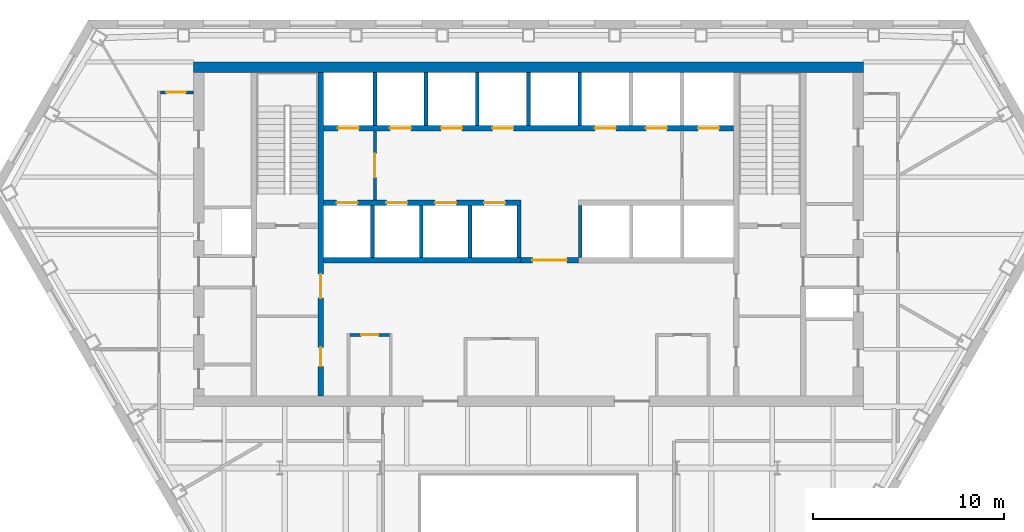
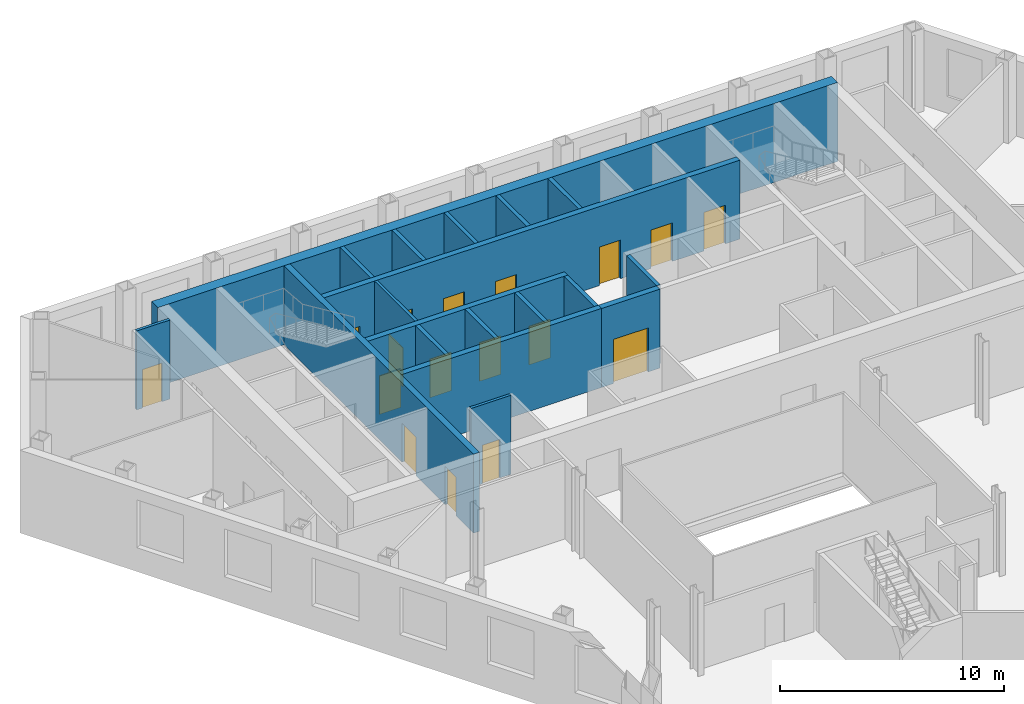
# One storey, part 6 of 11: 19 walls, 17 doors, 17 openings.
"""IFC4 building model written with IfcOpenShell, lengths in metres."""

from ifc_helpers import new_model, si_unit, direction, frame, frame_2d, origin, place, context, subcontext, project, spatial, rectangle, extrude, material, layer, layer_set, type_object, element, fill, save


model = new_model("IFC4")

# Units and contexts
model_context = context("Model", 3, precision=1e-05, world=origin(), true_north=direction((0.0, 1.0)))
body_context = subcontext(model_context, "Body", "Model", "MODEL_VIEW")
ifc_project = project(units=[si_unit("LENGTHUNIT", "METRE"), si_unit("AREAUNIT", "SQUARE_METRE"), si_unit("VOLUMEUNIT", "CUBIC_METRE"), si_unit("PLANEANGLEUNIT", "RADIAN"), si_unit("MASSUNIT", "GRAM", prefix="KILO")], contexts=[model_context])

# Site, building, storey
site_placement = place(None, origin())
site = spatial("IfcSite", under=ifc_project, at=site_placement, CompositionType="ELEMENT")
building_placement = place(site_placement, origin())
building = spatial("IfcBuilding", under=site, at=building_placement, Name="Njiva Tower", CompositionType="ELEMENT")
storey_placement = place(building_placement, frame((0.0, 0.0, 88.8)))
storey = spatial("IfcBuildingStorey", under=building, at=storey_placement, Name="L18", CompositionType="ELEMENT", Elevation=88.8)

# Wall, opening, door
ifc_material_1 = material(Name="Blockwork", Category="masonry")
ifc_layer_1 = layer(ifc_material_1, 0.15)
ifc_layer_set_1 = layer_set([ifc_layer_1], Name="Blockwork")
wall_type_1 = type_object("IfcWallType", Name="WT1 Compartment partition 150", PredefinedType="PARTITIONING", material=ifc_layer_set_1)
wall_1_placement = place(storey_placement, frame((-9.325, 3.75, 0.0), z_axis=(0.0, 0.0, 1.0), x_axis=(1.0, 0.0, 0.0)))
wall_1 = element("IfcWall", 1, at=wall_1_placement, inside=storey, type_object=wall_type_1, Name="Concierge office wall north", PredefinedType="PARTITIONING", context=body_context, shape_type="SweptSolid", body=[
    extrude(rectangle(XDim=2.05, YDim=0.15, at=frame_2d((1.025, 0.0))), origin(), (0.0, 0.0, 1.0), 4.3),
])
opening_1_placement = place(wall_1_placement, frame((0.575, 0.0, 0.0)))
opening_1 = element("IfcOpeningElement", 2, at=opening_1_placement, cuts=wall_1, Name="Opening S06-D932", PredefinedType="OPENING", context=body_context, shape_type="SweptSolid", body=[
    extrude(rectangle(XDim=0.9, YDim=2.1, at=frame_2d((0.45, 1.05))), frame((0.0, 0.085, 0.0), z_axis=(0.0, -1.0, 0.0), x_axis=(1.0, 0.0, 0.0)), (0.0, 0.0, 1.0), 0.17),
])
ifc_material_2 = material(Name="Steel fire door, painted", Category="steel")
door_type_1 = type_object("IfcDoorType", Name="D6 Fire-rated door 900x2100", OperationType="SINGLE_SWING_LEFT", PredefinedType="DOOR", material=ifc_material_2)
door_1_placement = place(opening_1_placement, origin())
door_1 = element("IfcDoor", 3, at=door_1_placement, inside=storey, type_object=door_type_1, Name="Concierge office door", OperationType="SINGLE_SWING_RIGHT", OverallHeight=2.1, OverallWidth=0.9, PredefinedType="DOOR", context=body_context, shape_type="SweptSolid", body=[
    extrude(rectangle(XDim=0.9, YDim=2.1, at=frame_2d((0.45, 1.05))), frame((0.0, 0.025, 0.0), z_axis=(0.0, -1.0, 0.0), x_axis=(1.0, 0.0, 0.0)), (0.0, 0.0, 1.0), 0.05),
])
fill(opening_1, door_1)

# Wall, openings, doors
ifc_material_3 = material(Name="Concrete C40/50", Category="concrete")
ifc_layer_2 = layer(ifc_material_3, 0.3)
ifc_layer_set_2 = layer_set([ifc_layer_2], Name="Concrete C40/50")
wall_type_2 = type_object("IfcWallType", Name="WT10 Stair enclosure wall 300", PredefinedType="SHEAR", material=ifc_layer_set_2)
wall_2_placement = place(storey_placement, frame((-10.85, 0.55, 0.0), z_axis=(0.0, 0.0, 1.0), x_axis=(0.0, 1.0, 0.0)))
wall_2 = element("IfcWall", 4, at=wall_2_placement, inside=storey, type_object=wall_type_2, Name="Stair wall west inner", PredefinedType="SHEAR", context=body_context, shape_type="SweptSolid", body=[
    extrude(rectangle(XDim=16.9, YDim=0.3, at=frame_2d((8.45, 0.0))), origin(), (0.0, 0.0, 1.0), 4.3),
])
opening_2_placement = place(wall_2_placement, frame((5.125, 0.0, 0.0)))
opening_2 = element("IfcOpeningElement", 5, at=opening_2_placement, cuts=wall_2, Name="Opening S06-D914", PredefinedType="OPENING", context=body_context, shape_type="SweptSolid", body=[
    extrude(rectangle(XDim=1.25, YDim=2.1, at=frame_2d((0.625, 1.05))), frame((0.0, 0.16, 0.0), z_axis=(0.0, -1.0, 0.0), x_axis=(1.0, 0.0, 0.0)), (0.0, 0.0, 1.0), 0.32),
])
opening_3_placement = place(wall_2_placement, frame((1.55, 0.0, 0.0)))
opening_3 = element("IfcOpeningElement", 6, at=opening_3_placement, cuts=wall_2, Name="Opening S06-D915", PredefinedType="OPENING", context=body_context, shape_type="SweptSolid", body=[
    extrude(rectangle(XDim=1.0, YDim=2.1, at=frame_2d((0.5, 1.05))), frame((0.0, 0.16, 0.0), z_axis=(0.0, -1.0, 0.0), x_axis=(1.0, 0.0, 0.0)), (0.0, 0.0, 1.0), 0.32),
])
ifc_material_4 = material(Name="Steel door, painted", Category="steel")
door_type_2 = type_object("IfcDoorType", Name="D5 Steel door 1000x2100", OperationType="SINGLE_SWING_LEFT", PredefinedType="DOOR", material=ifc_material_4)
door_2_placement = place(opening_3_placement, origin())
door_2 = element("IfcDoor", 7, at=door_2_placement, inside=storey, type_object=door_type_2, Name="Reading room door", OperationType="SINGLE_SWING_RIGHT", OverallHeight=2.1, OverallWidth=1.0, PredefinedType="DOOR", context=body_context, shape_type="SweptSolid", body=[
    extrude(rectangle(XDim=1.0, YDim=2.1, at=frame_2d((0.5, 1.05))), frame((0.0, 0.025, 0.0), z_axis=(0.0, -1.0, 0.0), x_axis=(1.0, 0.0, 0.0)), (0.0, 0.0, 1.0), 0.05),
])
fill(opening_3, door_2)
ifc_material_5 = material(Name="Glazed steel fire door", Category="steel")
door_type_3 = type_object("IfcDoorType", Name="D8 Vestibule corridor door 1250x2100 glazed", OperationType="SINGLE_SWING_LEFT", PredefinedType="DOOR", material=ifc_material_5)
door_3_placement = place(opening_2_placement, origin())
door_3 = element("IfcDoor", 8, at=door_3_placement, inside=storey, type_object=door_type_3, Name="Stair vestibule corridor door", OperationType="SINGLE_SWING_LEFT", OverallHeight=2.1, OverallWidth=1.25, PredefinedType="DOOR", context=body_context, shape_type="SweptSolid", body=[
    extrude(rectangle(XDim=1.25, YDim=2.1, at=frame_2d((0.625, 1.05))), frame((0.0, 0.025, 0.0), z_axis=(0.0, -1.0, 0.0), x_axis=(1.0, 0.0, 0.0)), (0.0, 0.0, 1.0), 0.05),
])
fill(opening_2, door_3)

# Wall
ifc_material_6 = material(Name="Concrete C60/75", Category="concrete")
ifc_layer_3 = layer(ifc_material_6, 0.55)
ifc_layer_set_3 = layer_set([ifc_layer_3], Name="Concrete C60/75")
wall_type_3 = type_object("IfcWallType", Name="WT14 Core wall 550", PredefinedType="SHEAR", material=ifc_layer_set_3)
wall_3_placement = place(storey_placement, frame((-17.5, 17.725, 0.0), z_axis=(0.0, 0.0, 1.0), x_axis=(1.0, 0.0, 0.0)))
element("IfcWall", 9, at=wall_3_placement, inside=storey, type_object=wall_type_3, Name="Core wall north", PredefinedType="SHEAR", context=body_context, shape_type="SweptSolid", body=[
    extrude(rectangle(XDim=35.0, YDim=0.55, at=frame_2d((17.5, 0.0))), origin(), (0.0, 0.0, 1.0), 4.3),
])

# Wall, opening, door
ifc_layer_4 = layer(ifc_material_1, 0.15)
ifc_layer_set_4 = layer_set([ifc_layer_4], Name="Blockwork")
wall_type_4 = type_object("IfcWallType", Name="WT2 Lobby partition 150", PredefinedType="PARTITIONING", material=ifc_layer_set_4)
wall_4_placement = place(storey_placement, frame((-8.025, 10.8, 0.0), z_axis=(0.0, 0.0, 1.0), x_axis=(0.0, 1.0, 0.0)))
wall_4 = element("IfcWall", 10, at=wall_4_placement, inside=storey, type_object=wall_type_4, Name="Firefighting lobby wall A", PredefinedType="PARTITIONING", context=body_context, shape_type="SweptSolid", body=[
    extrude(rectangle(XDim=3.6, YDim=0.15, at=frame_2d((1.8, 0.0))), origin(), (0.0, 0.0, 1.0), 4.3),
])
opening_4_placement = place(wall_4_placement, frame((1.175, 0.0, 0.0)))
opening_4 = element("IfcOpeningElement", 11, at=opening_4_placement, cuts=wall_4, Name="Opening S06-D912", PredefinedType="OPENING", context=body_context, shape_type="SweptSolid", body=[
    extrude(rectangle(XDim=1.25, YDim=2.1, at=frame_2d((0.625, 1.05))), frame((0.0, 0.085, 0.0), z_axis=(0.0, -1.0, 0.0), x_axis=(1.0, 0.0, 0.0)), (0.0, 0.0, 1.0), 0.17),
])
door_4_placement = place(opening_4_placement, origin())
door_4 = element("IfcDoor", 12, at=door_4_placement, inside=storey, type_object=door_type_3, Name="Stair vestibule corridor door", OperationType="SINGLE_SWING_RIGHT", OverallHeight=2.1, OverallWidth=1.25, PredefinedType="DOOR", context=body_context, shape_type="SweptSolid", body=[
    extrude(rectangle(XDim=1.25, YDim=2.1, at=frame_2d((0.625, 1.05))), frame((0.0, 0.025, 0.0), z_axis=(0.0, -1.0, 0.0), x_axis=(1.0, 0.0, 0.0)), (0.0, 0.0, 1.0), 0.05),
])
fill(opening_4, door_4)

ifc_material_7 = material(Name="Gypsum board on steel studs", Category="gypsum")
ifc_layer_5 = layer(ifc_material_7, 0.15)
ifc_layer_set_5 = layer_set([ifc_layer_5], Name="Gypsum board on steel studs")
wall_type_5 = type_object("IfcWallType", Name="WT21 Compartment wall 150", PredefinedType="PARTITIONING", material=ifc_layer_set_5)
wall_5_placement = place(storey_placement, frame((-19.225, 16.416, 0.0), z_axis=(0.0, 0.0, 1.0), x_axis=(1.0, 0.0, 0.0)))
wall_5 = element("IfcWall", 13, at=wall_5_placement, inside=storey, type_object=wall_type_5, Name="Partition S06-P010", PredefinedType="PARTITIONING", context=body_context, shape_type="SweptSolid", body=[
    extrude(rectangle(XDim=1.725, YDim=0.15, at=frame_2d((0.8625, 0.0))), origin(), (0.0, 0.0, 1.0), 4.3),
])
opening_5_placement = place(wall_5_placement, frame((0.308, 0.0, 0.0)))
opening_5 = element("IfcOpeningElement", 14, at=opening_5_placement, cuts=wall_5, Name="Opening S06-D006", PredefinedType="OPENING", context=body_context, shape_type="SweptSolid", body=[
    extrude(rectangle(XDim=1.0, YDim=2.1, at=frame_2d((0.5, 1.05))), frame((0.0, 0.085, 0.0), z_axis=(0.0, -1.0, 0.0), x_axis=(1.0, 0.0, 0.0)), (0.0, 0.0, 1.0), 0.17),
])
ifc_material_8 = material(Name="Steel fire door set", Category="steel")
door_type_4 = type_object("IfcDoorType", Name="D37 Fire door 1000x2100", OperationType="SINGLE_SWING_LEFT", PredefinedType="DOOR", material=ifc_material_8)
door_5_placement = place(opening_5_placement, origin())
door_5 = element("IfcDoor", 15, at=door_5_placement, inside=storey, type_object=door_type_4, Name="Door S06-D006", OperationType="SINGLE_SWING_RIGHT", OverallHeight=2.1, OverallWidth=1.0, PredefinedType="DOOR", context=body_context, shape_type="SweptSolid", body=[
    extrude(rectangle(XDim=1.0, YDim=2.1, at=frame_2d((0.5, 1.05))), frame((0.0, 0.025, 0.0), z_axis=(0.0, -1.0, 0.0), x_axis=(1.0, 0.0, 0.0)), (0.0, 0.0, 1.0), 0.05),
])
fill(opening_5, door_5)

ifc_layer_6 = layer(ifc_material_1, 0.3)
ifc_layer_set_6 = layer_set([ifc_layer_6], Name="Blockwork")
wall_type_6 = type_object("IfcWallType", Name="WT5 Lobby partition 300", PredefinedType="PARTITIONING", material=ifc_layer_set_6)
wall_6_placement = place(storey_placement, frame((-0.4, 7.65, 0.0), z_axis=(0.0, 0.0, 1.0), x_axis=(1.0, 0.0, 0.0)))
wall_6 = element("IfcWall", 16, at=wall_6_placement, inside=storey, type_object=wall_type_6, Name="Lift lobby screen wall", PredefinedType="PARTITIONING", context=body_context, shape_type="SweptSolid", body=[
    extrude(rectangle(XDim=3.0, YDim=0.3, at=frame_2d((1.5, 0.0))), origin(), (0.0, 0.0, 1.0), 4.3),
])
opening_6_placement = place(wall_6_placement, frame((0.6, 0.0, 0.0)))
opening_6 = element("IfcOpeningElement", 17, at=opening_6_placement, cuts=wall_6, Name="Opening S06-D935", PredefinedType="OPENING", context=body_context, shape_type="SweptSolid", body=[
    extrude(rectangle(XDim=1.8, YDim=2.4, at=frame_2d((0.9, 1.2))), frame((0.0, 0.16, 0.0), z_axis=(0.0, -1.0, 0.0), x_axis=(1.0, 0.0, 0.0)), (0.0, 0.0, 1.0), 0.32),
])
ifc_material_9 = material(Name="Steel and glass door", Category="steel")
door_type_5 = type_object("IfcDoorType", Name="D3 Core entrance door 1800x2400", OperationType="DOUBLE_DOOR_SINGLE_SWING", PredefinedType="DOOR", material=ifc_material_9)
door_6_placement = place(opening_6_placement, origin())
door_6 = element("IfcDoor", 18, at=door_6_placement, inside=storey, type_object=door_type_5, Name="Core entrance door", OperationType="DOUBLE_DOOR_SINGLE_SWING", OverallHeight=2.4, OverallWidth=1.8, PredefinedType="DOOR", context=body_context, shape_type="SweptSolid", body=[
    extrude(rectangle(XDim=1.8, YDim=2.4, at=frame_2d((0.9, 1.2))), frame((0.0, 0.025, 0.0), z_axis=(0.0, -1.0, 0.0), x_axis=(1.0, 0.0, 0.0)), (0.0, 0.0, 1.0), 0.05),
])
fill(opening_6, door_6)

# Walls
ifc_layer_7 = layer(ifc_material_3, 0.2)
ifc_layer_set_7 = layer_set([ifc_layer_7], Name="Concrete C40/50")
wall_type_7 = type_object("IfcWallType", Name="WT6 Lift shaft wall 200", PredefinedType="SHEAR", material=ifc_layer_set_7)
for number, where, z_axis, x_axis, name in (
    (19, (-8.025, 14.7, 0.0), (0.0, 0.0, 1.0), (0.0, 1.0, 0.0), "Shaft wall CN1"),
    (20, (-5.35, 14.7, 0.0), (0.0, 0.0, 1.0), (0.0, 1.0, 0.0), "Shaft wall CN2"),
    (21, (-2.675, 14.7, 0.0), (0.0, 0.0, 1.0), (0.0, 1.0, 0.0), "Shaft wall CN3"),
    (22, (0.0, 14.7, 0.0), (0.0, 0.0, 1.0), (0.0, 1.0, 0.0), "Shaft wall CN4"),
    (23, (2.675, 14.7, 0.0), (0.0, 0.0, 1.0), (0.0, 1.0, 0.0), "Shaft wall CN5"),
):
    element("IfcWall", number, at=place(storey_placement, frame(where, z_axis=z_axis, x_axis=x_axis)), inside=storey, type_object=wall_type_7, Name=name, PredefinedType="SHEAR", context=body_context, shape_type="SweptSolid", body=[
        extrude(rectangle(XDim=2.75, YDim=0.2, at=frame_2d((1.375, 0.0))), origin(), (0.0, 0.0, 1.0), 4.3),
    ])
for number, where, z_axis, x_axis, name in (
    (24, (-8.15, 7.8, 0.0), (0.0, 0.0, 1.0), (0.0, 1.0, 0.0), "Shaft wall CS1"),
    (25, (-5.6, 7.8, 0.0), (0.0, 0.0, 1.0), (0.0, 1.0, 0.0), "Shaft wall CS2"),
    (26, (-3.05, 7.8, 0.0), (0.0, 0.0, 1.0), (0.0, 1.0, 0.0), "Shaft wall CS3"),
    (27, (-0.5, 7.8, 0.0), (0.0, 0.0, 1.0), (0.0, 1.0, 0.0), "Shaft wall CS4"),
    (28, (2.7, 7.8, 0.0), (0.0, 0.0, 1.0), (0.0, 1.0, 0.0), "Shaft wall CS5"),
):
    element("IfcWall", number, at=place(storey_placement, frame(where, z_axis=z_axis, x_axis=x_axis)), inside=storey, type_object=wall_type_7, Name=name, PredefinedType="SHEAR", context=body_context, shape_type="SweptSolid", body=[
        extrude(rectangle(XDim=2.7, YDim=0.2, at=frame_2d((1.35, 0.0))), origin(), (0.0, 0.0, 1.0), 4.3),
    ])

# Wall, openings, doors
ifc_layer_8 = layer(ifc_material_3, 0.3)
ifc_layer_set_8 = layer_set([ifc_layer_8], Name="Concrete C40/50")
wall_type_8 = type_object("IfcWallType", Name="WT7 Lift shaft wall 300", PredefinedType="SHEAR", material=ifc_layer_set_8)
wall_7_placement = place(storey_placement, frame((-10.7, 14.55, 0.0), z_axis=(0.0, 0.0, 1.0), x_axis=(1.0, 0.0, 0.0)))
wall_7 = element("IfcWall", 29, at=wall_7_placement, inside=storey, type_object=wall_type_8, Name="Shaft wall north row lobby side", PredefinedType="SHEAR", context=body_context, shape_type="SweptSolid", body=[
    extrude(rectangle(XDim=21.4, YDim=0.3, at=frame_2d((10.7, 0.0))), origin(), (0.0, 0.0, 1.0), 4.3),
])
opening_7_placement = place(wall_7_placement, frame((0.7375, 0.0, 0.0)))
opening_7 = element("IfcOpeningElement", 30, at=opening_7_placement, cuts=wall_7, Name="Opening S06-D901", PredefinedType="OPENING", context=body_context, shape_type="SweptSolid", body=[
    extrude(rectangle(XDim=1.1, YDim=2.1, at=frame_2d((0.55, 1.05))), frame((0.0, 0.16, 0.0), z_axis=(0.0, -1.0, 0.0), x_axis=(1.0, 0.0, 0.0)), (0.0, 0.0, 1.0), 0.32),
])
opening_8_placement = place(wall_7_placement, frame((3.4625, 0.0, 0.0)))
opening_8 = element("IfcOpeningElement", 31, at=opening_8_placement, cuts=wall_7, Name="Opening S06-D902", PredefinedType="OPENING", context=body_context, shape_type="SweptSolid", body=[
    extrude(rectangle(XDim=1.1, YDim=2.1, at=frame_2d((0.55, 1.05))), frame((0.0, 0.16, 0.0), z_axis=(0.0, -1.0, 0.0), x_axis=(1.0, 0.0, 0.0)), (0.0, 0.0, 1.0), 0.32),
])
opening_9_placement = place(wall_7_placement, frame((6.1375, 0.0, 0.0)))
opening_9 = element("IfcOpeningElement", 32, at=opening_9_placement, cuts=wall_7, Name="Opening S06-D903", PredefinedType="OPENING", context=body_context, shape_type="SweptSolid", body=[
    extrude(rectangle(XDim=1.1, YDim=2.1, at=frame_2d((0.55, 1.05))), frame((0.0, 0.16, 0.0), z_axis=(0.0, -1.0, 0.0), x_axis=(1.0, 0.0, 0.0)), (0.0, 0.0, 1.0), 0.32),
])
opening_10_placement = place(wall_7_placement, frame((8.8125, 0.0, 0.0)))
opening_10 = element("IfcOpeningElement", 33, at=opening_10_placement, cuts=wall_7, Name="Opening S06-D904", PredefinedType="OPENING", context=body_context, shape_type="SweptSolid", body=[
    extrude(rectangle(XDim=1.1, YDim=2.1, at=frame_2d((0.55, 1.05))), frame((0.0, 0.16, 0.0), z_axis=(0.0, -1.0, 0.0), x_axis=(1.0, 0.0, 0.0)), (0.0, 0.0, 1.0), 0.32),
])
opening_11_placement = place(wall_7_placement, frame((14.1625, 0.0, 0.0)))
opening_11 = element("IfcOpeningElement", 34, at=opening_11_placement, cuts=wall_7, Name="Opening S06-D905", PredefinedType="OPENING", context=body_context, shape_type="SweptSolid", body=[
    extrude(rectangle(XDim=1.1, YDim=2.1, at=frame_2d((0.55, 1.05))), frame((0.0, 0.16, 0.0), z_axis=(0.0, -1.0, 0.0), x_axis=(1.0, 0.0, 0.0)), (0.0, 0.0, 1.0), 0.32),
])
opening_12_placement = place(wall_7_placement, frame((16.8375, 0.0, 0.0)))
opening_12 = element("IfcOpeningElement", 35, at=opening_12_placement, cuts=wall_7, Name="Opening S06-D906", PredefinedType="OPENING", context=body_context, shape_type="SweptSolid", body=[
    extrude(rectangle(XDim=1.1, YDim=2.1, at=frame_2d((0.55, 1.05))), frame((0.0, 0.16, 0.0), z_axis=(0.0, -1.0, 0.0), x_axis=(1.0, 0.0, 0.0)), (0.0, 0.0, 1.0), 0.32),
])
opening_13_placement = place(wall_7_placement, frame((19.5625, 0.0, 0.0)))
opening_13 = element("IfcOpeningElement", 36, at=opening_13_placement, cuts=wall_7, Name="Opening S06-D907", PredefinedType="OPENING", context=body_context, shape_type="SweptSolid", body=[
    extrude(rectangle(XDim=1.1, YDim=2.1, at=frame_2d((0.55, 1.05))), frame((0.0, 0.16, 0.0), z_axis=(0.0, -1.0, 0.0), x_axis=(1.0, 0.0, 0.0)), (0.0, 0.0, 1.0), 0.32),
])
ifc_material_10 = material(Name="Stainless steel sliding door", Category="steel")
door_type_6 = type_object("IfcDoorType", Name="LD Lift landing door 1100x2100", OperationType="SLIDING_TO_LEFT", PredefinedType="DOOR", material=ifc_material_10)
door_7_placement = place(opening_7_placement, origin())
door_7 = element("IfcDoor", 37, at=door_7_placement, inside=storey, type_object=door_type_6, Name="Lift landing door FF1", OperationType="SLIDING_TO_LEFT", OverallHeight=2.1, OverallWidth=1.1, PredefinedType="DOOR", context=body_context, shape_type="SweptSolid", body=[
    extrude(rectangle(XDim=1.1, YDim=2.1, at=frame_2d((0.55, 1.05))), frame((0.0, 0.025, 0.0), z_axis=(0.0, -1.0, 0.0), x_axis=(1.0, 0.0, 0.0)), (0.0, 0.0, 1.0), 0.05),
])
fill(opening_7, door_7)
door_8_placement = place(opening_8_placement, origin())
door_8 = element("IfcDoor", 38, at=door_8_placement, inside=storey, type_object=door_type_6, Name="Lift landing door LB1", OperationType="SLIDING_TO_LEFT", OverallHeight=2.1, OverallWidth=1.1, PredefinedType="DOOR", context=body_context, shape_type="SweptSolid", body=[
    extrude(rectangle(XDim=1.1, YDim=2.1, at=frame_2d((0.55, 1.05))), frame((0.0, 0.025, 0.0), z_axis=(0.0, -1.0, 0.0), x_axis=(1.0, 0.0, 0.0)), (0.0, 0.0, 1.0), 0.05),
])
fill(opening_8, door_8)
door_9_placement = place(opening_9_placement, origin())
door_9 = element("IfcDoor", 39, at=door_9_placement, inside=storey, type_object=door_type_6, Name="Lift landing door LB2", OperationType="SLIDING_TO_LEFT", OverallHeight=2.1, OverallWidth=1.1, PredefinedType="DOOR", context=body_context, shape_type="SweptSolid", body=[
    extrude(rectangle(XDim=1.1, YDim=2.1, at=frame_2d((0.55, 1.05))), frame((0.0, 0.025, 0.0), z_axis=(0.0, -1.0, 0.0), x_axis=(1.0, 0.0, 0.0)), (0.0, 0.0, 1.0), 0.05),
])
fill(opening_9, door_9)
door_10_placement = place(opening_10_placement, origin())
door_10 = element("IfcDoor", 40, at=door_10_placement, inside=storey, type_object=door_type_6, Name="Lift landing door LB3", OperationType="SLIDING_TO_LEFT", OverallHeight=2.1, OverallWidth=1.1, PredefinedType="DOOR", context=body_context, shape_type="SweptSolid", body=[
    extrude(rectangle(XDim=1.1, YDim=2.1, at=frame_2d((0.55, 1.05))), frame((0.0, 0.025, 0.0), z_axis=(0.0, -1.0, 0.0), x_axis=(1.0, 0.0, 0.0)), (0.0, 0.0, 1.0), 0.05),
])
fill(opening_10, door_10)
door_11_placement = place(opening_11_placement, origin())
door_11 = element("IfcDoor", 41, at=door_11_placement, inside=storey, type_object=door_type_6, Name="Lift landing door FR1", OperationType="SLIDING_TO_LEFT", OverallHeight=2.1, OverallWidth=1.1, PredefinedType="DOOR", context=body_context, shape_type="SweptSolid", body=[
    extrude(rectangle(XDim=1.1, YDim=2.1, at=frame_2d((0.55, 1.05))), frame((0.0, 0.025, 0.0), z_axis=(0.0, -1.0, 0.0), x_axis=(1.0, 0.0, 0.0)), (0.0, 0.0, 1.0), 0.05),
])
fill(opening_11, door_11)
door_12_placement = place(opening_12_placement, origin())
door_12 = element("IfcDoor", 42, at=door_12_placement, inside=storey, type_object=door_type_6, Name="Lift landing door FR2", OperationType="SLIDING_TO_LEFT", OverallHeight=2.1, OverallWidth=1.1, PredefinedType="DOOR", context=body_context, shape_type="SweptSolid", body=[
    extrude(rectangle(XDim=1.1, YDim=2.1, at=frame_2d((0.55, 1.05))), frame((0.0, 0.025, 0.0), z_axis=(0.0, -1.0, 0.0), x_axis=(1.0, 0.0, 0.0)), (0.0, 0.0, 1.0), 0.05),
])
fill(opening_12, door_12)
door_13_placement = place(opening_13_placement, origin())
door_13 = element("IfcDoor", 43, at=door_13_placement, inside=storey, type_object=door_type_6, Name="Lift landing door FF2", OperationType="SLIDING_TO_LEFT", OverallHeight=2.1, OverallWidth=1.1, PredefinedType="DOOR", context=body_context, shape_type="SweptSolid", body=[
    extrude(rectangle(XDim=1.1, YDim=2.1, at=frame_2d((0.55, 1.05))), frame((0.0, 0.025, 0.0), z_axis=(0.0, -1.0, 0.0), x_axis=(1.0, 0.0, 0.0)), (0.0, 0.0, 1.0), 0.05),
])
fill(opening_13, door_13)

wall_8_placement = place(storey_placement, frame((-10.7, 10.65, 0.0), z_axis=(0.0, 0.0, 1.0), x_axis=(1.0, 0.0, 0.0)))
wall_8 = element("IfcWall", 44, at=wall_8_placement, inside=storey, type_object=wall_type_8, Name="Shaft wall south row lobby side W", PredefinedType="SHEAR", context=body_context, shape_type="SweptSolid", body=[
    extrude(rectangle(XDim=10.3, YDim=0.3, at=frame_2d((5.15, 0.0))), origin(), (0.0, 0.0, 1.0), 4.3),
])
opening_14_placement = place(wall_8_placement, frame((0.675, 0.0, 0.0)))
opening_14 = element("IfcOpeningElement", 45, at=opening_14_placement, cuts=wall_8, Name="Opening S06-D908", PredefinedType="OPENING", context=body_context, shape_type="SweptSolid", body=[
    extrude(rectangle(XDim=1.1, YDim=2.1, at=frame_2d((0.55, 1.05))), frame((0.0, 0.16, 0.0), z_axis=(0.0, -1.0, 0.0), x_axis=(1.0, 0.0, 0.0)), (0.0, 0.0, 1.0), 0.32),
])
opening_15_placement = place(wall_8_placement, frame((3.275, 0.0, 0.0)))
opening_15 = element("IfcOpeningElement", 46, at=opening_15_placement, cuts=wall_8, Name="Opening S06-D909", PredefinedType="OPENING", context=body_context, shape_type="SweptSolid", body=[
    extrude(rectangle(XDim=1.1, YDim=2.1, at=frame_2d((0.55, 1.05))), frame((0.0, 0.16, 0.0), z_axis=(0.0, -1.0, 0.0), x_axis=(1.0, 0.0, 0.0)), (0.0, 0.0, 1.0), 0.32),
])
opening_16_placement = place(wall_8_placement, frame((5.825, 0.0, 0.0)))
opening_16 = element("IfcOpeningElement", 47, at=opening_16_placement, cuts=wall_8, Name="Opening S06-D910", PredefinedType="OPENING", context=body_context, shape_type="SweptSolid", body=[
    extrude(rectangle(XDim=1.1, YDim=2.1, at=frame_2d((0.55, 1.05))), frame((0.0, 0.16, 0.0), z_axis=(0.0, -1.0, 0.0), x_axis=(1.0, 0.0, 0.0)), (0.0, 0.0, 1.0), 0.32),
])
opening_17_placement = place(wall_8_placement, frame((8.375, 0.0, 0.0)))
opening_17 = element("IfcOpeningElement", 48, at=opening_17_placement, cuts=wall_8, Name="Opening S06-D911", PredefinedType="OPENING", context=body_context, shape_type="SweptSolid", body=[
    extrude(rectangle(XDim=1.1, YDim=2.1, at=frame_2d((0.55, 1.05))), frame((0.0, 0.16, 0.0), z_axis=(0.0, -1.0, 0.0), x_axis=(1.0, 0.0, 0.0)), (0.0, 0.0, 1.0), 0.32),
])
door_14_placement = place(opening_14_placement, origin())
door_14 = element("IfcDoor", 49, at=door_14_placement, inside=storey, type_object=door_type_6, Name="Lift landing door LB4", OperationType="SLIDING_TO_LEFT", OverallHeight=2.1, OverallWidth=1.1, PredefinedType="DOOR", context=body_context, shape_type="SweptSolid", body=[
    extrude(rectangle(XDim=1.1, YDim=2.1, at=frame_2d((0.55, 1.05))), frame((0.0, 0.025, 0.0), z_axis=(0.0, -1.0, 0.0), x_axis=(1.0, 0.0, 0.0)), (0.0, 0.0, 1.0), 0.05),
])
fill(opening_14, door_14)
door_15_placement = place(opening_15_placement, origin())
door_15 = element("IfcDoor", 50, at=door_15_placement, inside=storey, type_object=door_type_6, Name="Lift landing door LB5", OperationType="SLIDING_TO_LEFT", OverallHeight=2.1, OverallWidth=1.1, PredefinedType="DOOR", context=body_context, shape_type="SweptSolid", body=[
    extrude(rectangle(XDim=1.1, YDim=2.1, at=frame_2d((0.55, 1.05))), frame((0.0, 0.025, 0.0), z_axis=(0.0, -1.0, 0.0), x_axis=(1.0, 0.0, 0.0)), (0.0, 0.0, 1.0), 0.05),
])
fill(opening_15, door_15)
door_16_placement = place(opening_16_placement, origin())
door_16 = element("IfcDoor", 51, at=door_16_placement, inside=storey, type_object=door_type_6, Name="Lift landing door LB6", OperationType="SLIDING_TO_LEFT", OverallHeight=2.1, OverallWidth=1.1, PredefinedType="DOOR", context=body_context, shape_type="SweptSolid", body=[
    extrude(rectangle(XDim=1.1, YDim=2.1, at=frame_2d((0.55, 1.05))), frame((0.0, 0.025, 0.0), z_axis=(0.0, -1.0, 0.0), x_axis=(1.0, 0.0, 0.0)), (0.0, 0.0, 1.0), 0.05),
])
fill(opening_16, door_16)
door_17_placement = place(opening_17_placement, origin())
door_17 = element("IfcDoor", 52, at=door_17_placement, inside=storey, type_object=door_type_6, Name="Lift landing door LB7", OperationType="SLIDING_TO_LEFT", OverallHeight=2.1, OverallWidth=1.1, PredefinedType="DOOR", context=body_context, shape_type="SweptSolid", body=[
    extrude(rectangle(XDim=1.1, YDim=2.1, at=frame_2d((0.55, 1.05))), frame((0.0, 0.025, 0.0), z_axis=(0.0, -1.0, 0.0), x_axis=(1.0, 0.0, 0.0)), (0.0, 0.0, 1.0), 0.05),
])
fill(opening_17, door_17)

# Wall
wall_9_placement = place(storey_placement, frame((-10.7, 7.65, 0.0), z_axis=(0.0, 0.0, 1.0), x_axis=(1.0, 0.0, 0.0)))
element("IfcWall", 53, at=wall_9_placement, inside=storey, type_object=wall_type_8, Name="Shaft wall south row back W", PredefinedType="SHEAR", context=body_context, shape_type="SweptSolid", body=[
    extrude(rectangle(XDim=10.3, YDim=0.3, at=frame_2d((5.15, 0.0))), origin(), (0.0, 0.0, 1.0), 4.3),
])

save(model, "model.ifc")
